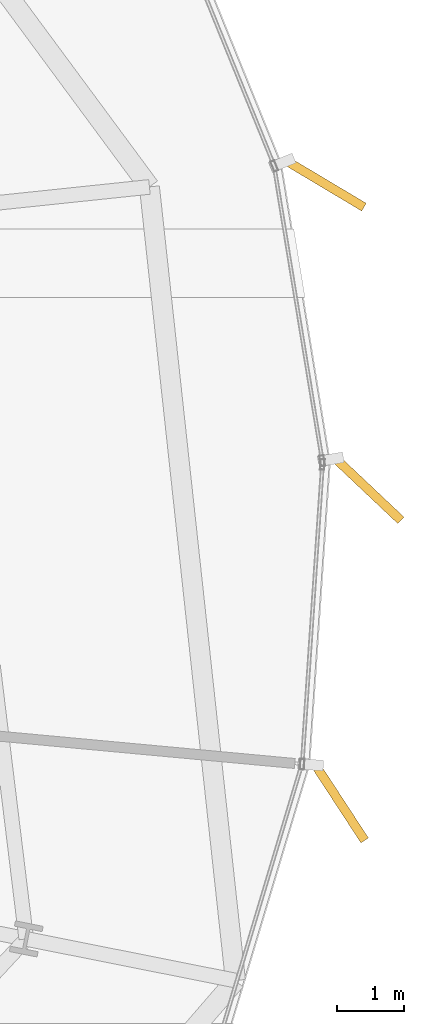
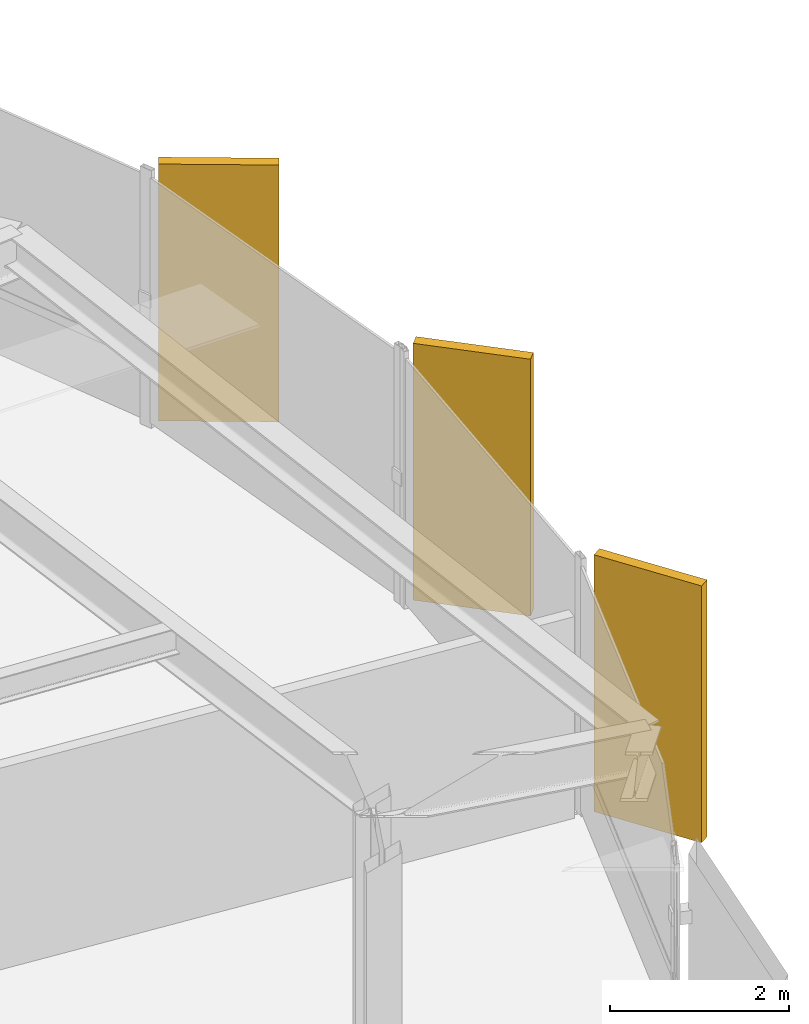
# One storey, part 39 of 39: 3 coverings.
"""IFC4 building model written with IfcOpenShell, lengths in metres."""

from ifc_helpers import new_model, si_unit, direction, frame, origin, origin_2d, place, context, subcontext, project, spatial, rectangle, extrude, source, transform, mapped, material, layer, layer_set, type_object, element, save


model = new_model("IFC4")

# Units and contexts
model_context = context("Model", 3, precision=1e-05, world=origin(), true_north=direction((0.0, 1.0)))
body_context = subcontext(model_context, "Body", "Model", "MODEL_VIEW")
ifc_project = project(units=[si_unit("LENGTHUNIT", "METRE"), si_unit("AREAUNIT", "SQUARE_METRE"), si_unit("VOLUMEUNIT", "CUBIC_METRE"), si_unit("PLANEANGLEUNIT", "RADIAN"), si_unit("MASSUNIT", "GRAM", prefix="KILO"), si_unit("THERMODYNAMICTEMPERATUREUNIT", "KELVIN")], contexts=[model_context])

# Site, building, storey
site_placement = place(None, origin())
site = spatial("IfcSite", under=ifc_project, at=site_placement, CompositionType="ELEMENT")
building_placement = place(site_placement, origin())
building = spatial("IfcBuilding", under=site, at=building_placement, Name="Kethvar Cultural Tower", CompositionType="ELEMENT")
storey_placement = place(building_placement, frame((0.0, 0.0, 41.0)))
storey = spatial("IfcBuildingStorey", under=building, at=storey_placement, Name="L09", CompositionType="ELEMENT", Elevation=41.0)

# Coverings
ifc_material = material(Name="Extruded Architectural Terracotta", Category="masonry")
ifc_layer = layer(ifc_material, 0.135009765625, Name="Extruded Architectural Terracotta", Category="masonry")
ifc_layer_set = layer_set([ifc_layer], Name="Extruded Architectural Terracotta (135 mm)")
covering_type = type_object("IfcCoveringType", Name="Terracotta Facade Fin FIN-01", PredefinedType="CLADDING", material=ifc_layer_set)
shared_shape = source(origin(), body_context, "Body", "SweptSolid", [
    extrude(rectangle(XDim=1.35009765625, YDim=0.135009765625, at=origin_2d()), origin(), (0.0, 0.0, 1.0), 3.510009765625),
])
for number, where, z_axis, x_axis, name in (
    (1, (80.12158203125, 28.936279296875, 0.02001953125), (0.0, 0.0, 1.0), (0.727293788809, -0.686326266989, 0.0), "L09 Vertical Terracotta Fin 1.1"),
    (2, (79.47802734375, 33.518310546875, 0.02001953125), (0.0, 0.0, 1.0), (0.85860221428, -0.512642407174, 0.0), "L09 Vertical Terracotta Fin 1.2"),
    (3, (79.699462890625, 24.23583984375, 0.02001953125), (0.0, 0.0, 1.0), (0.546978918409, -0.837146380758, 0.0), "L09 Vertical Terracotta Fin 6.6"),
):
    element("IfcCovering", number, at=place(storey_placement, frame(where, z_axis=z_axis, x_axis=x_axis)), inside=storey, type_object=covering_type, Name=name, PredefinedType="CLADDING", context=body_context, shape_type="MappedRepresentation", body=[
        mapped(shared_shape, transform((0.0, 0.0, 0.0), scale=1.0)),
    ])

save(model, "model.ifc")
